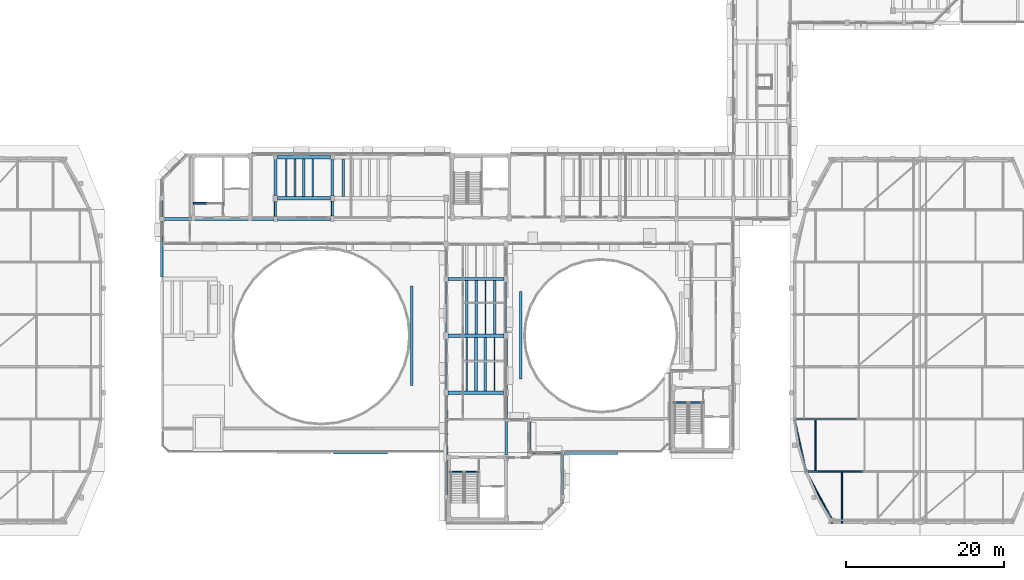
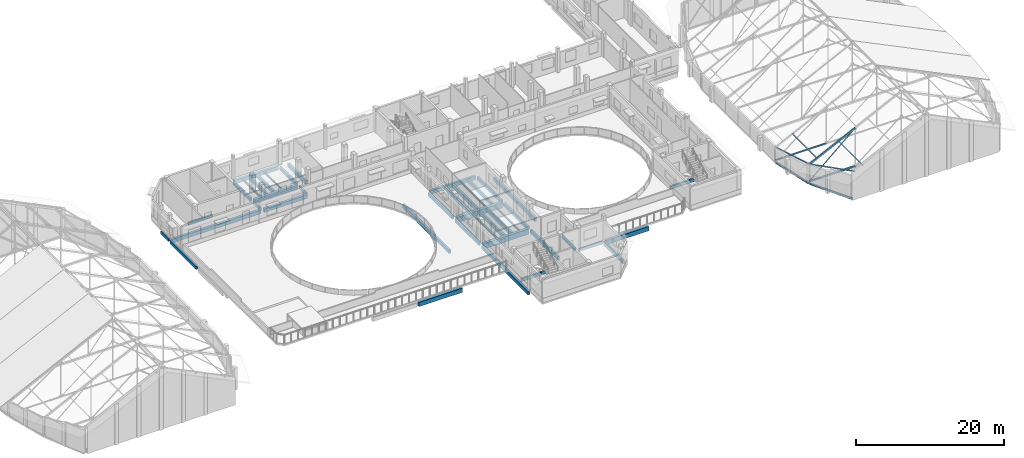
# One storey, part 24 of 78: 44 beams, 8 members.
"""IFC4 building model written with IfcOpenShell, lengths in metres."""

from ifc_helpers import new_model, si_unit, direction, frame, origin, origin_2d, place, context, subcontext, project, spatial, rectangle, hollow_rectangle, i_section, extrude, material, material_profile, profile_set, type_object, element, save


model = new_model("IFC4")

# Units and contexts
model_context = context("Model", 3, precision=1e-05, world=origin(), true_north=direction((0.0, 1.0)))
body_context = subcontext(model_context, "Body", "Model", "MODEL_VIEW")
ifc_project = project(units=[si_unit("LENGTHUNIT", "METRE"), si_unit("AREAUNIT", "SQUARE_METRE"), si_unit("VOLUMEUNIT", "CUBIC_METRE"), si_unit("PLANEANGLEUNIT", "RADIAN"), si_unit("MASSUNIT", "GRAM", prefix="KILO")], contexts=[model_context])

# Site, building, storey
site_placement = place(None, origin())
site = spatial("IfcSite", under=ifc_project, at=site_placement, CompositionType="ELEMENT")
building_placement = place(site_placement, origin())
building = spatial("IfcBuilding", under=site, at=building_placement, Name="Kelanivale Promenade Academy", CompositionType="ELEMENT")
storey_placement = place(building_placement, frame((0.0, 0.0, 16.199951171875)))
storey = spatial("IfcBuildingStorey", under=building, at=storey_placement, Name="L04", CompositionType="ELEMENT", Elevation=16.199951171875)

# Beams
ifc_material_1 = material(Name="Concrete C35/45", Category="concrete")
ifc_material_profile_1 = material_profile(ifc_material_1, rectangle(XDim=0.39990234375, YDim=0.699951171875, at=origin_2d()), Name="RC-BM 400x700")
ifc_profile_set_1 = profile_set([ifc_material_profile_1], Name="Concrete C35/45")
beam_type_1 = type_object("IfcBeamType", Name="BM-02 RC-BM 400x700", PredefinedType="BEAM", material=ifc_profile_set_1)
beam_1_placement = place(storey_placement, frame((64.969970703125, 42.0, -0.5849609375), z_axis=(1.0, 0.0, 0.0), x_axis=(0.0, 1.0, 0.0)))
element("IfcBeam", 1, at=beam_1_placement, inside=storey, type_object=beam_type_1, Name="L04 girder BM-02", PredefinedType="BEAM", context=body_context, shape_type="SweptSolid", body=[
    extrude(rectangle(XDim=0.39990234375, YDim=0.699951171875, at=origin_2d()), origin(), (0.0, 0.0, 1.0), 6.8349609375),
])
ifc_material_profile_2 = material_profile(ifc_material_1, rectangle(XDim=0.449951171875, YDim=0.699951171875, at=origin_2d()), Name="RC-BM 450x700")
ifc_profile_set_2 = profile_set([ifc_material_profile_2], Name="Concrete C35/45")
beam_type_2 = type_object("IfcBeamType", Name="BM-03 RC-BM 450x700", PredefinedType="BEAM", material=ifc_profile_set_2)
beam_2_placement = place(storey_placement, frame((94.219970703125, 42.0, -0.5849609375), z_axis=(1.0, 0.0, 0.0), x_axis=(0.0, 1.0, 0.0)))
element("IfcBeam", 2, at=beam_2_placement, inside=storey, type_object=beam_type_2, Name="L04 girder BM-03", PredefinedType="BEAM", context=body_context, shape_type="SweptSolid", body=[
    extrude(rectangle(XDim=0.449951171875, YDim=0.699951171875, at=origin_2d()), origin(), (0.0, 0.0, 1.0), 6.735107421875),
])
ifc_material_profile_3 = material_profile(ifc_material_1, rectangle(XDim=0.449951171875, YDim=0.75, at=origin_2d()), Name="RC-BM 450x750")
ifc_profile_set_3 = profile_set([ifc_material_profile_3], Name="Concrete C35/45")
beam_type_3 = type_object("IfcBeamType", Name="BM-04 RC-BM 450x750", PredefinedType="BEAM", material=ifc_profile_set_3)
beam_3_placement = place(storey_placement, frame((57.844970703125, 74.199951171875, -0.594970703125), z_axis=(1.0, 0.0, 0.0), x_axis=(0.0, 1.0, 0.0)))
element("IfcBeam", 3, at=beam_3_placement, inside=storey, type_object=beam_type_3, Name="L04 girder BM-04", PredefinedType="BEAM", context=body_context, shape_type="SweptSolid", body=[
    extrude(rectangle(XDim=0.449951171875, YDim=0.75, at=origin_2d()), origin(), (0.0, 0.0, 1.0), 6.7099609375),
])
ifc_material_profile_4 = material_profile(ifc_material_1, rectangle(XDim=0.449951171875, YDim=0.85009765625, at=origin_2d()), Name="RC-BM 450x850")
ifc_profile_set_4 = profile_set([ifc_material_profile_4], Name="Concrete C35/45")
beam_type_4 = type_object("IfcBeamType", Name="BM-05 RC-BM 450x850", PredefinedType="BEAM", material=ifc_profile_set_4)
beam_4_placement = place(storey_placement, frame((79.469970703125, 49.60009765625, -0.64501953125), z_axis=(1.0, 0.0, 0.0), x_axis=(0.0, 1.0, 0.0)))
element("IfcBeam", 4, at=beam_4_placement, inside=storey, type_object=beam_type_4, Name="L04 girder BM-05", PredefinedType="BEAM", context=body_context, shape_type="SweptSolid", body=[
    extrude(rectangle(XDim=0.449951171875, YDim=0.85009765625, at=origin_2d()), origin(), (0.0, 0.0, 1.0), 7.034912109375),
])
ifc_material_profile_5 = material_profile(ifc_material_1, rectangle(XDim=0.5, YDim=0.85009765625, at=origin_2d()), Name="RC-BM 500x850")
ifc_profile_set_5 = profile_set([ifc_material_profile_5], Name="Concrete C35/45")
beam_type_5 = type_object("IfcBeamType", Name="BM-07 RC-BM 500x850", PredefinedType="BEAM", material=ifc_profile_set_5)
beam_5_placement = place(storey_placement, frame((79.4951171875, 56.800048828125, -0.64501953125), z_axis=(1.0, 0.0, 0.0), x_axis=(0.0, 1.0, 0.0)))
element("IfcBeam", 5, at=beam_5_placement, inside=storey, type_object=beam_type_5, Name="L04 girder BM-07", PredefinedType="BEAM", context=body_context, shape_type="SweptSolid", body=[
    extrude(rectangle(XDim=0.5, YDim=0.85009765625, at=origin_2d()), origin(), (0.0, 0.0, 1.0), 7.059814453125),
])
ifc_material_profile_6 = material_profile(ifc_material_1, rectangle(XDim=0.35009765625, YDim=0.60009765625, at=origin_2d()), Name="RC-BM 350x600")
ifc_profile_set_6 = profile_set([ifc_material_profile_6], Name="Concrete C35/45")
beam_type_6 = type_object("IfcBeamType", Name="BM-09 RC-BM 350x600", PredefinedType="BEAM", material=ifc_profile_set_6)
beam_6_placement = place(storey_placement, frame((79.445068359375, 64.0, -0.52001953125), z_axis=(1.0, 0.0, 0.0), x_axis=(0.0, 1.0, 0.0)))
element("IfcBeam", 6, at=beam_6_placement, inside=storey, type_object=beam_type_6, Name="L04 girder BM-09", PredefinedType="BEAM", context=body_context, shape_type="SweptSolid", body=[
    extrude(rectangle(XDim=0.35009765625, YDim=0.60009765625, at=origin_2d()), origin(), (0.0, 0.0, 1.0), 7.10986328125),
])
ifc_material_profile_7 = material_profile(ifc_material_1, rectangle(XDim=0.39990234375, YDim=0.60009765625, at=origin_2d()), Name="RC-BM 400x600")
ifc_profile_set_7 = profile_set([ifc_material_profile_7], Name="Concrete C35/45")
beam_type_7 = type_object("IfcBeamType", Name="BM-12 RC-BM 400x600", PredefinedType="BEAM", material=ifc_profile_set_7)
beam_7_placement = place(storey_placement, frame((43.39501953125, 71.60009765625, -0.52001953125), z_axis=(1.0, 0.0, 0.0), x_axis=(0.0, 1.0, 0.0)))
element("IfcBeam", 7, at=beam_7_placement, inside=storey, type_object=beam_type_7, Name="L04 girder BM-12", PredefinedType="BEAM", context=body_context, shape_type="SweptSolid", body=[
    extrude(rectangle(XDim=0.39990234375, YDim=0.60009765625, at=origin_2d()), origin(), (0.0, 0.0, 1.0), 13.9599609375),
])
beam_8_placement = place(storey_placement, frame((57.844970703125, 71.60009765625, -0.52001953125), z_axis=(1.0, 0.0, 0.0), x_axis=(0.0, 1.0, 0.0)))
element("IfcBeam", 8, at=beam_8_placement, inside=storey, type_object=beam_type_7, Name="L04 girder BM-12", PredefinedType="BEAM", context=body_context, shape_type="SweptSolid", body=[
    extrude(rectangle(XDim=0.39990234375, YDim=0.60009765625, at=origin_2d()), origin(), (0.0, 0.0, 1.0), 6.735107421875),
])
beam_9_placement = place(storey_placement, frame((57.77001953125, 79.39990234375, -0.52001953125), z_axis=(1.0, 0.0, 0.0), x_axis=(0.0, 1.0, 0.0)))
element("IfcBeam", 9, at=beam_9_placement, inside=storey, type_object=beam_type_7, Name="L04 girder BM-12", PredefinedType="BEAM", context=body_context, shape_type="SweptSolid", body=[
    extrude(rectangle(XDim=0.39990234375, YDim=0.60009765625, at=origin_2d()), origin(), (0.0, 0.0, 1.0), 6.784912109375),
])
ifc_material_profile_8 = material_profile(ifc_material_1, rectangle(XDim=0.300048828125, YDim=0.5, at=origin_2d()), Name="RC-BM 300x500")
ifc_profile_set_8 = profile_set([ifc_material_profile_8], Name="Concrete C35/45")
beam_type_8 = type_object("IfcBeamType", Name="JS-01 RC-BM 300x500", PredefinedType="JOIST", material=ifc_profile_set_8)
beam_10_placement = place(storey_placement, frame((43.199951171875, 64.2451171875, -0.489990234375), z_axis=(0.0, 1.0, 0.0), x_axis=(-1.0, 0.0, 0.0)))
element("IfcBeam", 10, at=beam_10_placement, inside=storey, type_object=beam_type_8, Name="L04 beam JS-01", PredefinedType="JOIST", context=body_context, shape_type="SweptSolid", body=[
    extrude(rectangle(XDim=0.300048828125, YDim=0.5, at=origin_2d()), origin(), (0.0, 0.0, 1.0), 7.10986328125),
])
beam_11_placement = place(storey_placement, frame((79.199951171875, 49.969970703125, -0.469970703125), z_axis=(0.0, 1.0, 0.0), x_axis=(-1.0, 0.0, 0.0)))
element("IfcBeam", 11, at=beam_11_placement, inside=storey, type_object=beam_type_8, Name="L04 beam JS-01", PredefinedType="JOIST", context=body_context, shape_type="SweptSolid", body=[
    extrude(rectangle(XDim=0.300048828125, YDim=0.5, at=origin_2d()), origin(), (0.0, 0.0, 1.0), 6.43505859375),
])
beam_12_placement = place(storey_placement, frame((86.800048828125, 57.1201171875, -0.469970703125), z_axis=(0.0, 1.0, 0.0), x_axis=(-1.0, 0.0, 0.0)))
element("IfcBeam", 12, at=beam_12_placement, inside=storey, type_object=beam_type_8, Name="L04 beam JS-01", PredefinedType="JOIST", context=body_context, shape_type="SweptSolid", body=[
    extrude(rectangle(XDim=0.300048828125, YDim=0.5, at=origin_2d()), origin(), (0.0, 0.0, 1.0), 6.509765625),
])
ifc_material_profile_9 = material_profile(ifc_material_1, rectangle(XDim=0.300048828125, YDim=0.550048828125, at=origin_2d()), Name="RC-BM 300x550")
ifc_profile_set_9 = profile_set([ifc_material_profile_9], Name="Concrete C35/45")
beam_type_9 = type_object("IfcBeamType", Name="JS-02 RC-BM 300x550", PredefinedType="JOIST", material=ifc_profile_set_9)
beam_13_placement = place(storey_placement, frame((64.800048828125, 74.52001953125, -0.494873046875), z_axis=(0.0, 1.0, 0.0), x_axis=(-1.0, 0.0, 0.0)))
element("IfcBeam", 13, at=beam_13_placement, inside=storey, type_object=beam_type_9, Name="L04 beam JS-02", PredefinedType="JOIST", context=body_context, shape_type="SweptSolid", body=[
    extrude(rectangle(XDim=0.300048828125, YDim=0.550048828125, at=origin_2d()), origin(), (0.0, 0.0, 1.0), 4.5849609375),
])
beam_14_placement = place(storey_placement, frame((79.199951171875, 57.195068359375, -0.494873046875), z_axis=(0.0, 1.0, 0.0), x_axis=(-1.0, 0.0, 0.0)))
element("IfcBeam", 14, at=beam_14_placement, inside=storey, type_object=beam_type_9, Name="L04 beam JS-02", PredefinedType="JOIST", context=body_context, shape_type="SweptSolid", body=[
    extrude(rectangle(XDim=0.300048828125, YDim=0.550048828125, at=origin_2d()), origin(), (0.0, 0.0, 1.0), 6.48486328125),
])
beam_15_placement = place(storey_placement, frame((85.3779296875, 57.050048828125, -0.494873046875), z_axis=(0.0, 1.0, 0.0), x_axis=(-1.0, 0.0, 0.0)))
element("IfcBeam", 15, at=beam_15_placement, inside=storey, type_object=beam_type_9, Name="L04 secondary sub-beam JS-02", PredefinedType="JOIST", context=body_context, shape_type="SweptSolid", body=[
    extrude(rectangle(XDim=0.300048828125, YDim=0.550048828125, at=origin_2d()), origin(), (0.0, 0.0, 1.0), 6.77490234375),
])
beam_16_placement = place(storey_placement, frame((60.08203125, 74.425048828125, -0.494873046875), z_axis=(0.0, 1.0, 0.0), x_axis=(-1.0, 0.0, 0.0)))
element("IfcBeam", 16, at=beam_16_placement, inside=storey, type_object=beam_type_9, Name="L04 secondary sub-beam JS-02", PredefinedType="JOIST", context=body_context, shape_type="SweptSolid", body=[
    extrude(rectangle(XDim=0.300048828125, YDim=0.550048828125, at=origin_2d()), origin(), (0.0, 0.0, 1.0), 4.77490234375),
])
ifc_material_profile_10 = material_profile(ifc_material_1, rectangle(XDim=0.300048828125, YDim=0.60009765625, at=origin_2d()), Name="RC-BM 300x600")
ifc_profile_set_10 = profile_set([ifc_material_profile_10], Name="Concrete C35/45")
beam_type_10 = type_object("IfcBeamType", Name="JS-03 RC-BM 300x600", PredefinedType="JOIST", material=ifc_profile_set_10)
beam_17_placement = place(storey_placement, frame((88.66796875, 51.294921875, -0.5400390625), z_axis=(0.0, 1.0, 0.0), x_axis=(-1.0, 0.0, 0.0)))
element("IfcBeam", 17, at=beam_17_placement, inside=storey, type_object=beam_type_10, Name="L04 beam JS-03", PredefinedType="JOIST", context=body_context, shape_type="SweptSolid", body=[
    extrude(rectangle(XDim=0.300048828125, YDim=0.60009765625, at=origin_2d()), origin(), (0.0, 0.0, 1.0), 11.135009765625),
])
beam_18_placement = place(storey_placement, frame((61.199951171875, 74.425048828125, -0.52001953125), z_axis=(0.0, 1.0, 0.0), x_axis=(-1.0, 0.0, 0.0)))
element("IfcBeam", 18, at=beam_18_placement, inside=storey, type_object=beam_type_10, Name="L04 secondary sub-beam JS-03", PredefinedType="JOIST", context=body_context, shape_type="SweptSolid", body=[
    extrude(rectangle(XDim=0.300048828125, YDim=0.60009765625, at=origin_2d()), origin(), (0.0, 0.0, 1.0), 4.77490234375),
])
ifc_material_profile_11 = material_profile(ifc_material_1, rectangle(XDim=0.320068359375, YDim=0.60009765625, at=origin_2d()), Name="RC-BM 320x600")
ifc_profile_set_11 = profile_set([ifc_material_profile_11], Name="Concrete C35/45")
beam_type_11 = type_object("IfcBeamType", Name="JS-05 RC-BM 320x600", PredefinedType="JOIST", material=ifc_profile_set_11)
beam_19_placement = place(storey_placement, frame((74.83203125, 50.4951171875, -0.5400390625), z_axis=(0.0, 1.0, 0.0), x_axis=(-1.0, 0.0, 0.0)))
element("IfcBeam", 19, at=beam_19_placement, inside=storey, type_object=beam_type_11, Name="L04 beam JS-05", PredefinedType="JOIST", context=body_context, shape_type="SweptSolid", body=[
    extrude(rectangle(XDim=0.320068359375, YDim=0.60009765625, at=origin_2d()), origin(), (0.0, 0.0, 1.0), 12.5849609375),
])
beam_20_placement = place(storey_placement, frame((86.800048828125, 41.77001953125, -0.52001953125), z_axis=(0.0, 1.0, 0.0), x_axis=(-1.0, 0.0, 0.0)))
element("IfcBeam", 20, at=beam_20_placement, inside=storey, type_object=beam_type_11, Name="L04 beam JS-05", PredefinedType="JOIST", context=body_context, shape_type="SweptSolid", body=[
    extrude(rectangle(XDim=0.320068359375, YDim=0.60009765625, at=origin_2d()), origin(), (0.0, 0.0, 1.0), 7.43505859375),
])
beam_21_placement = place(storey_placement, frame((94.0, 36.64501953125, -0.52001953125), z_axis=(0.0, 1.0, 0.0), x_axis=(-1.0, 0.0, 0.0)))
element("IfcBeam", 21, at=beam_21_placement, inside=storey, type_object=beam_type_11, Name="L04 beam JS-05", PredefinedType="JOIST", context=body_context, shape_type="SweptSolid", body=[
    extrude(rectangle(XDim=0.320068359375, YDim=0.60009765625, at=origin_2d()), origin(), (0.0, 0.0, 1.0), 5.0849609375),
])
beam_22_placement = place(storey_placement, frame((83.0, 49.824951171875, -0.52001953125), z_axis=(0.0, 1.0, 0.0), x_axis=(-1.0, 0.0, 0.0)))
element("IfcBeam", 22, at=beam_22_placement, inside=storey, type_object=beam_type_11, Name="L04 secondary sub-beam JS-05", PredefinedType="JOIST", context=body_context, shape_type="SweptSolid", body=[
    extrude(rectangle(XDim=0.320068359375, YDim=0.60009765625, at=origin_2d()), origin(), (0.0, 0.0, 1.0), 6.72509765625),
])
beam_23_placement = place(storey_placement, frame((81.847900390625, 57.050048828125, -0.52001953125), z_axis=(0.0, 1.0, 0.0), x_axis=(-1.0, 0.0, 0.0)))
element("IfcBeam", 23, at=beam_23_placement, inside=storey, type_object=beam_type_11, Name="L04 secondary sub-beam JS-05", PredefinedType="JOIST", context=body_context, shape_type="SweptSolid", body=[
    extrude(rectangle(XDim=0.320068359375, YDim=0.60009765625, at=origin_2d()), origin(), (0.0, 0.0, 1.0), 6.77490234375),
])
beam_24_placement = place(storey_placement, frame((66.1630859375, 74.425048828125, -0.52001953125), z_axis=(0.0, 1.0, 0.0), x_axis=(-1.0, 0.0, 0.0)))
element("IfcBeam", 24, at=beam_24_placement, inside=storey, type_object=beam_type_11, Name="L04 secondary sub-beam JS-05", PredefinedType="JOIST", context=body_context, shape_type="SweptSolid", body=[
    extrude(rectangle(XDim=0.320068359375, YDim=0.60009765625, at=origin_2d()), origin(), (0.0, 0.0, 1.0), 4.77490234375),
])
ifc_material_profile_12 = material_profile(ifc_material_1, rectangle(XDim=0.35009765625, YDim=0.550048828125, at=origin_2d()), Name="RC-BM 350x550")
ifc_profile_set_12 = profile_set([ifc_material_profile_12], Name="Concrete C35/45")
beam_type_12 = type_object("IfcBeamType", Name="JS-06 RC-BM 350x550", PredefinedType="JOIST", material=ifc_profile_set_12)
beam_25_placement = place(storey_placement, frame((57.60009765625, 74.570068359375, -0.494873046875), z_axis=(0.0, 1.0, 0.0), x_axis=(-1.0, 0.0, 0.0)))
element("IfcBeam", 25, at=beam_25_placement, inside=storey, type_object=beam_type_12, Name="L04 beam JS-06", PredefinedType="JOIST", context=body_context, shape_type="SweptSolid", body=[
    extrude(rectangle(XDim=0.35009765625, YDim=0.550048828125, at=origin_2d()), origin(), (0.0, 0.0, 1.0), 4.5849609375),
])
beam_26_placement = place(storey_placement, frame((79.199951171875, 36.64501953125, -0.494873046875), z_axis=(0.0, 1.0, 0.0), x_axis=(-1.0, 0.0, 0.0)))
element("IfcBeam", 26, at=beam_26_placement, inside=storey, type_object=beam_type_12, Name="L04 beam JS-06", PredefinedType="JOIST", context=body_context, shape_type="SweptSolid", body=[
    extrude(rectangle(XDim=0.35009765625, YDim=0.550048828125, at=origin_2d()), origin(), (0.0, 0.0, 1.0), 12.5849609375),
])
beam_27_placement = place(storey_placement, frame((86.800048828125, 49.9951171875, -0.494873046875), z_axis=(0.0, 1.0, 0.0), x_axis=(-1.0, 0.0, 0.0)))
element("IfcBeam", 27, at=beam_27_placement, inside=storey, type_object=beam_type_12, Name="L04 beam JS-06", PredefinedType="JOIST", context=body_context, shape_type="SweptSolid", body=[
    extrude(rectangle(XDim=0.35009765625, YDim=0.550048828125, at=origin_2d()), origin(), (0.0, 0.0, 1.0), 6.48486328125),
])
beam_28_placement = place(storey_placement, frame((84.16796875, 49.824951171875, -0.494873046875), z_axis=(0.0, 1.0, 0.0), x_axis=(-1.0, 0.0, 0.0)))
element("IfcBeam", 28, at=beam_28_placement, inside=storey, type_object=beam_type_12, Name="L04 secondary sub-beam JS-06", PredefinedType="JOIST", context=body_context, shape_type="SweptSolid", body=[
    extrude(rectangle(XDim=0.35009765625, YDim=0.550048828125, at=origin_2d()), origin(), (0.0, 0.0, 1.0), 6.72509765625),
])
beam_29_placement = place(storey_placement, frame((83.02490234375, 57.050048828125, -0.494873046875), z_axis=(0.0, 1.0, 0.0), x_axis=(-1.0, 0.0, 0.0)))
element("IfcBeam", 29, at=beam_29_placement, inside=storey, type_object=beam_type_12, Name="L04 secondary sub-beam JS-06", PredefinedType="JOIST", context=body_context, shape_type="SweptSolid", body=[
    extrude(rectangle(XDim=0.35009765625, YDim=0.550048828125, at=origin_2d()), origin(), (0.0, 0.0, 1.0), 6.77490234375),
])
ifc_material_profile_13 = material_profile(ifc_material_1, rectangle(XDim=0.25, YDim=0.449951171875, at=origin_2d()), Name="RC-BM 250x450")
ifc_profile_set_13 = profile_set([ifc_material_profile_13], Name="Concrete C35/45")
beam_type_13 = type_object("IfcBeamType", Name="LN-01 RC-BM 250x450", PredefinedType="LINTEL", material=ifc_profile_set_13)
beam_30_placement = place(storey_placement, frame((90.094970703125, 42.0, -0.445068359375), z_axis=(1.0, 0.0, 0.0), x_axis=(0.0, 1.0, 0.0)))
element("IfcBeam", 30, at=beam_30_placement, inside=storey, type_object=beam_type_13, Name="L04 girder LN-01", PredefinedType="LINTEL", context=body_context, shape_type="SweptSolid", body=[
    extrude(rectangle(XDim=0.25, YDim=0.449951171875, at=origin_2d()), origin(), (0.0, 0.0, 1.0), 3.68505859375),
])
ifc_material_profile_14 = material_profile(ifc_material_1, rectangle(XDim=0.25, YDim=0.5, at=origin_2d()), Name="RC-BM 250x500")
ifc_profile_set_14 = profile_set([ifc_material_profile_14], Name="Concrete C35/45")
beam_type_14 = type_object("IfcBeamType", Name="LN-02 RC-BM 250x500", PredefinedType="LINTEL", material=ifc_profile_set_14)
beam_31_placement = place(storey_placement, frame((43.199951171875, 71.844970703125, -0.469970703125), z_axis=(0.0, 1.0, 0.0), x_axis=(-1.0, 0.0, 0.0)))
element("IfcBeam", 31, at=beam_31_placement, inside=storey, type_object=beam_type_14, Name="L04 beam LN-02", PredefinedType="LINTEL", context=body_context, shape_type="SweptSolid", body=[
    extrude(rectangle(XDim=0.25, YDim=0.5, at=origin_2d()), origin(), (0.0, 0.0, 1.0), 2.0849609375),
])
beam_32_placement = place(storey_placement, frame((57.60009765625, 71.919921875, -0.469970703125), z_axis=(0.0, 1.0, 0.0), x_axis=(-1.0, 0.0, 0.0)))
element("IfcBeam", 32, at=beam_32_placement, inside=storey, type_object=beam_type_14, Name="L04 beam LN-02", PredefinedType="LINTEL", context=body_context, shape_type="SweptSolid", body=[
    extrude(rectangle(XDim=0.25, YDim=0.5, at=origin_2d()), origin(), (0.0, 0.0, 1.0), 1.91015625),
])
beam_33_placement = place(storey_placement, frame((64.800048828125, 71.945068359375, -0.469970703125), z_axis=(0.0, 1.0, 0.0), x_axis=(-1.0, 0.0, 0.0)))
element("IfcBeam", 33, at=beam_33_placement, inside=storey, type_object=beam_type_14, Name="L04 beam LN-02", PredefinedType="LINTEL", context=body_context, shape_type="SweptSolid", body=[
    extrude(rectangle(XDim=0.25, YDim=0.5, at=origin_2d()), origin(), (0.0, 0.0, 1.0), 1.934814453125),
])
beam_34_placement = place(storey_placement, frame((89.800048828125, 42.39501953125, -0.469970703125), z_axis=(0.0, 1.0, 0.0), x_axis=(-1.0, 0.0, 0.0)))
element("IfcBeam", 34, at=beam_34_placement, inside=storey, type_object=beam_type_14, Name="L04 beam LN-02", PredefinedType="LINTEL", context=body_context, shape_type="SweptSolid", body=[
    extrude(rectangle(XDim=0.25, YDim=0.5, at=origin_2d()), origin(), (0.0, 0.0, 1.0), 3.48486328125),
])
for number, where, z_axis, x_axis, name in (
    (35, (79.60009765625, 39.544921875, -0.25), (1.0, 0.0, 0.0), (0.0, 1.0, 0.0), "CORE-1 stair arrival trimmer beam L04"),
    (36, (108.0, 48.344970703125, -0.25), (1.0, 0.0, 0.0), (0.0, 1.0, 0.0), "CORE-3 stair arrival trimmer beam L04"),
):
    element("IfcBeam", number, at=place(storey_placement, frame(where, z_axis=z_axis, x_axis=x_axis)), inside=storey, type_object=beam_type_14, Name=name, PredefinedType="LINTEL", context=body_context, shape_type="SweptSolid", body=[
        extrude(rectangle(XDim=0.25, YDim=0.5, at=origin_2d()), origin(), (0.0, 0.0, 1.0), 3.77490234375),
    ])
beam_35_placement = place(storey_placement, frame((47.199951171875, 73.60498046875, -0.25), z_axis=(1.0, 0.0, 0.0), x_axis=(0.0, 1.0, 0.0)))
element("IfcBeam", 37, at=beam_35_placement, inside=storey, type_object=beam_type_14, Name="CORE-4 stair arrival trimmer beam L04", PredefinedType="LINTEL", context=body_context, shape_type="SweptSolid", body=[
    extrude(rectangle(XDim=0.25, YDim=0.5, at=origin_2d()), origin(), (0.0, 0.0, 1.0), 3.775146484375),
])

# Members
ifc_material_2 = material(Name="Steel S355", Category="steel")
ifc_material_profile_15 = material_profile(ifc_material_2, i_section(OverallWidth=0.13330078125, OverallDepth=0.203125, WebThickness=0.005615234375, FlangeThickness=0.0078125, FilletRadius=0.007568359375, at=origin_2d()), Name="UB 203x133x25")
ifc_profile_set_15 = profile_set([ifc_material_profile_15], Name="Steel S355")
member_type_1 = type_object("IfcMemberType", Name="PR-01 UB 203x133x25", PredefinedType="PURLIN", material=ifc_profile_set_15)
member_1_placement = place(storey_placement, frame((128.14990234375, 33.0, 4.68994140625), z_axis=(-0.440463872752, 0.871618327598, -0.215111756527), x_axis=(-0.759403461189, -0.489526007548, -0.428568163852)))
element("IfcMember", 38, at=member_1_placement, inside=storey, type_object=member_type_1, Name="Assembly Hall Arc Pavilion roof tie purlin PR-01", PredefinedType="PURLIN", context=body_context, shape_type="SweptSolid", body=[
    extrude(i_section(OverallWidth=0.13330078125, OverallDepth=0.203125, WebThickness=0.005615234375, FlangeThickness=0.0078125, FilletRadius=0.007568359375, at=origin_2d()), origin(), (0.0, 0.0, 1.0), 7.605224609375),
])
member_2_placement = place(storey_placement, frame((129.35009765625, 33.0, 5.2939453125), z_axis=(0.0, 1.0, 0.0), x_axis=(-0.898564392509, 0.0, -0.438841694139)))
element("IfcMember", 39, at=member_2_placement, inside=storey, type_object=member_type_1, Name="Assembly Hall Arc Pavilion roof purlin PR-01", PredefinedType="PURLIN", context=body_context, shape_type="SweptSolid", body=[
    extrude(i_section(OverallWidth=0.13330078125, OverallDepth=0.203125, WebThickness=0.005615234375, FlangeThickness=0.0078125, FilletRadius=0.007568359375, at=origin_2d()), origin(), (0.0, 0.0, 1.0), 6.62890625),
])
member_3_placement = place(storey_placement, frame((124.800048828125, 39.62890625, 3.053955078125), z_axis=(-0.212548160405, 0.971623170035, -0.103786776423), x_axis=(-0.8680732411, -0.236519027735, -0.436471760376)))
element("IfcMember", 40, at=member_3_placement, inside=storey, type_object=member_type_1, Name="Assembly Hall Arc Pavilion roof tie purlin PR-01", PredefinedType="PURLIN", context=body_context, shape_type="SweptSolid", body=[
    extrude(i_section(OverallWidth=0.13330078125, OverallDepth=0.203125, WebThickness=0.005615234375, FlangeThickness=0.0078125, FilletRadius=0.007568359375, at=origin_2d()), origin(), (0.0, 0.0, 1.0), 6.82177734375),
])
ifc_material_profile_16 = material_profile(ifc_material_2, i_section(OverallWidth=0.14599609375, OverallDepth=0.25146484375, WebThickness=0.006103515625, FlangeThickness=0.008544921875, FilletRadius=0.007568359375, at=origin_2d()), Name="UB 254x146x31")
ifc_profile_set_16 = profile_set([ifc_material_profile_16], Name="Steel S355")
member_type_2 = type_object("IfcMemberType", Name="PR-02 UB 254x146x31", PredefinedType="PURLIN", material=ifc_profile_set_16)
member_4_placement = place(storey_placement, frame((126.0, 39.62890625, 3.630126953125), z_axis=(0.0, 1.0, 0.0), x_axis=(-0.898564392509, 0.0, -0.438841694139)))
element("IfcMember", 41, at=member_4_placement, inside=storey, type_object=member_type_2, Name="Assembly Hall Arc Pavilion roof purlin PR-02", PredefinedType="PURLIN", context=body_context, shape_type="SweptSolid", body=[
    extrude(i_section(OverallWidth=0.14599609375, OverallDepth=0.25146484375, WebThickness=0.006103515625, FlangeThickness=0.008544921875, FilletRadius=0.007568359375, at=origin_2d()), origin(), (0.0, 0.0, 1.0), 6.628173828125),
])

# Beams
ifc_material_profile_17 = material_profile(ifc_material_2, i_section(OverallWidth=0.14599609375, OverallDepth=0.25146484375, WebThickness=0.006103515625, FlangeThickness=0.008544921875, FilletRadius=0.007568359375, at=origin_2d()), Name="UB 254x146x31")
ifc_profile_set_17 = profile_set([ifc_material_profile_17], Name="Steel S355")
beam_type_15 = type_object("IfcBeamType", Name="SB-02 UB 254x146x31", PredefinedType="JOIST", material=ifc_profile_set_17)
beam_36_placement = place(storey_placement, frame((85.3369140625, 49.824951171875, -0.345947265625), z_axis=(0.0, 1.0, 0.0), x_axis=(-1.0, 0.0, 0.0)))
element("IfcBeam", 42, at=beam_36_placement, inside=storey, type_object=beam_type_15, Name="L04 secondary sub-beam SB-02", PredefinedType="JOIST", context=body_context, shape_type="SweptSolid", body=[
    extrude(i_section(OverallWidth=0.14599609375, OverallDepth=0.25146484375, WebThickness=0.006103515625, FlangeThickness=0.008544921875, FilletRadius=0.007568359375, at=origin_2d()), origin(), (0.0, 0.0, 1.0), 6.72509765625),
])
beam_37_placement = place(storey_placement, frame((62.318115234375, 74.425048828125, -0.345947265625), z_axis=(0.0, 1.0, 0.0), x_axis=(-1.0, 0.0, 0.0)))
element("IfcBeam", 43, at=beam_37_placement, inside=storey, type_object=beam_type_15, Name="L04 secondary sub-beam SB-02", PredefinedType="JOIST", context=body_context, shape_type="SweptSolid", body=[
    extrude(i_section(OverallWidth=0.14599609375, OverallDepth=0.25146484375, WebThickness=0.006103515625, FlangeThickness=0.008544921875, FilletRadius=0.007568359375, at=origin_2d()), origin(), (0.0, 0.0, 1.0), 4.77490234375),
])
ifc_material_profile_18 = material_profile(ifc_material_2, i_section(OverallWidth=0.1650390625, OverallDepth=0.303466796875, WebThickness=0.006103515625, FlangeThickness=0.01025390625, FilletRadius=0.0087890625, at=origin_2d()), Name="UB 305x165x40")
ifc_profile_set_18 = profile_set([ifc_material_profile_18], Name="Steel S355")
beam_type_16 = type_object("IfcBeamType", Name="SB-03 UB 305x165x40", PredefinedType="BEAM", material=ifc_profile_set_18)
beam_38_placement = place(storey_placement, frame((84.201904296875, 57.050048828125, -0.3720703125), z_axis=(0.0, 1.0, 0.0), x_axis=(-1.0, 0.0, 0.0)))
element("IfcBeam", 44, at=beam_38_placement, inside=storey, type_object=beam_type_16, Name="L04 secondary sub-beam SB-03", PredefinedType="BEAM", context=body_context, shape_type="SweptSolid", body=[
    extrude(i_section(OverallWidth=0.1650390625, OverallDepth=0.303466796875, WebThickness=0.006103515625, FlangeThickness=0.01025390625, FilletRadius=0.0087890625, at=origin_2d()), origin(), (0.0, 0.0, 1.0), 6.77490234375),
])
ifc_material_profile_19 = material_profile(ifc_material_2, i_section(OverallWidth=0.17138671875, OverallDepth=0.35498046875, WebThickness=0.00732421875, FlangeThickness=0.011474609375, FilletRadius=0.01025390625, at=origin_2d()), Name="UB 356x171x51")
ifc_profile_set_19 = profile_set([ifc_material_profile_19], Name="Steel S355")
beam_type_17 = type_object("IfcBeamType", Name="SB-04 UB 356x171x51", PredefinedType="BEAM", material=ifc_profile_set_19)
beam_39_placement = place(storey_placement, frame((81.83203125, 49.824951171875, -0.39697265625), z_axis=(0.0, 1.0, 0.0), x_axis=(-1.0, 0.0, 0.0)))
element("IfcBeam", 45, at=beam_39_placement, inside=storey, type_object=beam_type_17, Name="L04 secondary sub-beam SB-04", PredefinedType="BEAM", context=body_context, shape_type="SweptSolid", body=[
    extrude(i_section(OverallWidth=0.17138671875, OverallDepth=0.35498046875, WebThickness=0.00732421875, FlangeThickness=0.011474609375, FilletRadius=0.01025390625, at=origin_2d()), origin(), (0.0, 0.0, 1.0), 6.72509765625),
])
beam_40_placement = place(storey_placement, frame((58.962890625, 74.425048828125, -0.39697265625), z_axis=(0.0, 1.0, 0.0), x_axis=(-1.0, 0.0, 0.0)))
element("IfcBeam", 46, at=beam_40_placement, inside=storey, type_object=beam_type_17, Name="L04 secondary sub-beam SB-04", PredefinedType="BEAM", context=body_context, shape_type="SweptSolid", body=[
    extrude(i_section(OverallWidth=0.17138671875, OverallDepth=0.35498046875, WebThickness=0.00732421875, FlangeThickness=0.011474609375, FilletRadius=0.01025390625, at=origin_2d()), origin(), (0.0, 0.0, 1.0), 4.77490234375),
])
ifc_material_profile_20 = material_profile(ifc_material_2, hollow_rectangle(XDim=0.199951171875, YDim=0.300048828125, WallThickness=0.012451171875, InnerFilletRadius=0.012451171875, OuterFilletRadius=0.02490234375, at=origin_2d()), Name="RHS 300x200x12.5")
ifc_profile_set_20 = profile_set([ifc_material_profile_20], Name="Steel S355")
beam_type_18 = type_object("IfcBeamType", Name="SB-14 RHS 300x200x12.5", PredefinedType="SPANDREL", material=ifc_profile_set_20)
beam_41_placement = place(storey_placement, frame((128.10205078125, 33.5380859375, -0.14990234375), z_axis=(-0.476573382947, 0.879134694268, 0.0), x_axis=(-0.879134694268, -0.476573382947, 0.0)))
element("IfcBeam", 47, at=beam_41_placement, inside=storey, type_object=beam_type_18, Name="Assembly Hall Arc Pavilion inner kidney ring beam SB-14", PredefinedType="SPANDREL", context=body_context, shape_type="SweptSolid", body=[
    extrude(hollow_rectangle(XDim=0.199951171875, YDim=0.300048828125, WallThickness=0.012451171875, InnerFilletRadius=0.012451171875, OuterFilletRadius=0.02490234375, at=origin_2d()), origin(), (0.0, 0.0, 1.0), 6.828125),
])
beam_42_placement = place(storey_placement, frame((124.779052734375, 39.72705078125, -0.14990234375), z_axis=(-0.213839528573, 0.976868801846, 0.0), x_axis=(-0.976868801846, -0.213839528573, 0.0)))
element("IfcBeam", 48, at=beam_42_placement, inside=storey, type_object=beam_type_18, Name="Assembly Hall Arc Pavilion inner kidney ring beam SB-14", PredefinedType="SPANDREL", context=body_context, shape_type="SweptSolid", body=[
    extrude(hollow_rectangle(XDim=0.199951171875, YDim=0.300048828125, WallThickness=0.012451171875, InnerFilletRadius=0.012451171875, OuterFilletRadius=0.02490234375, at=origin_2d()), origin(), (0.0, 0.0, 1.0), 6.584228515625),
])

# Members
ifc_material_profile_21 = material_profile(ifc_material_2, hollow_rectangle(XDim=0.25, YDim=0.25, WallThickness=0.012451171875, InnerFilletRadius=0.012451171875, OuterFilletRadius=0.02490234375, at=origin_2d()), Name="SHS 250x250x12.5")
ifc_profile_set_21 = profile_set([ifc_material_profile_21], Name="Steel S355")
member_type_3 = type_object("IfcMemberType", Name="TC-02 SHS 250x250x12.5", PredefinedType="CHORD", material=ifc_profile_set_21)
member_5_placement = place(storey_placement, frame((124.800048828125, 39.62890625, 0.199951171875), z_axis=(1.0, 0.0, 0.0), x_axis=(0.0, 1.0, 0.0)))
element("IfcMember", 49, at=member_5_placement, inside=storey, type_object=member_type_3, Name="ROOF TRUSS AH-TR2 bottom chord 1", PredefinedType="CHORD", context=body_context, shape_type="SweptSolid", body=[
    extrude(hollow_rectangle(XDim=0.25, YDim=0.25, WallThickness=0.012451171875, InnerFilletRadius=0.012451171875, OuterFilletRadius=0.02490234375, at=origin_2d()), origin(), (0.0, 0.0, 1.0), 7.199951171875),
])
ifc_material_profile_22 = material_profile(ifc_material_2, hollow_rectangle(XDim=0.199951171875, YDim=0.199951171875, WallThickness=0.012451171875, InnerFilletRadius=0.012451171875, OuterFilletRadius=0.02490234375, at=origin_2d()), Name="SHS 200x200x12.5")
ifc_profile_set_22 = profile_set([ifc_material_profile_22], Name="Steel S355")
member_type_4 = type_object("IfcMemberType", Name="TC-03 SHS 200x200x12.5", PredefinedType="CHORD", material=ifc_profile_set_22)
member_6_placement = place(storey_placement, frame((123.35009765625, 46.257080078125, 0.199951171875), z_axis=(1.0, 0.0, 0.0), x_axis=(0.0, 1.0, 0.0)))
element("IfcMember", 50, at=member_6_placement, inside=storey, type_object=member_type_4, Name="ROOF TRUSS AH-TR3 bottom chord 1", PredefinedType="CHORD", context=body_context, shape_type="SweptSolid", body=[
    extrude(hollow_rectangle(XDim=0.199951171875, YDim=0.199951171875, WallThickness=0.012451171875, InnerFilletRadius=0.012451171875, OuterFilletRadius=0.02490234375, at=origin_2d()), origin(), (0.0, 0.0, 1.0), 7.9248046875),
])
ifc_material_profile_23 = material_profile(ifc_material_2, hollow_rectangle(XDim=0.199951171875, YDim=0.300048828125, WallThickness=0.012451171875, InnerFilletRadius=0.012451171875, OuterFilletRadius=0.02490234375, at=origin_2d()), Name="RHS 300x200x12.5")
ifc_profile_set_23 = profile_set([ifc_material_profile_23], Name="Steel S355")
member_type_5 = type_object("IfcMemberType", Name="TC-05 RHS 300x200x12.5", PredefinedType="CHORD", material=ifc_profile_set_23)
member_7_placement = place(storey_placement, frame((124.800048828125, 39.62890625, 3.009033203125), z_axis=(0.898526440367, 0.0, 0.438919395745), x_axis=(0.0, 1.0, 0.0)))
element("IfcMember", 51, at=member_7_placement, inside=storey, type_object=member_type_5, Name="ROOF TRUSS AH-TR2 top chord 1", PredefinedType="CHORD", context=body_context, shape_type="SweptSolid", body=[
    extrude(hollow_rectangle(XDim=0.199951171875, YDim=0.300048828125, WallThickness=0.012451171875, InnerFilletRadius=0.012451171875, OuterFilletRadius=0.02490234375, at=origin_2d()), origin(), (0.0, 0.0, 1.0), 8.01318359375),
])
ifc_material_profile_24 = material_profile(ifc_material_2, hollow_rectangle(XDim=0.1201171875, YDim=0.1201171875, WallThickness=0.008056640625, InnerFilletRadius=0.008056640625, OuterFilletRadius=0.01611328125, at=origin_2d()), Name="SHS 120x120x8.0")
ifc_profile_set_24 = profile_set([ifc_material_profile_24], Name="Steel S355")
member_type_6 = type_object("IfcMemberType", Name="TD-02 SHS 120x120x8.0", PredefinedType="BRACE", material=ifc_profile_set_24)
member_8_placement = place(storey_placement, frame((124.800048828125, 39.62890625, 0.199951171875), z_axis=(0.751219629486, 0.0, 0.660052322377), x_axis=(0.0, 1.0, 0.0)))
element("IfcMember", 52, at=member_8_placement, inside=storey, type_object=member_type_6, Name="ROOF TRUSS AH-TR2 web diagonal 1", PredefinedType="BRACE", context=body_context, shape_type="SweptSolid", body=[
    extrude(hollow_rectangle(XDim=0.1201171875, YDim=0.1201171875, WallThickness=0.008056640625, InnerFilletRadius=0.008056640625, OuterFilletRadius=0.01611328125, at=origin_2d()), origin(), (0.0, 0.0, 1.0), 9.584228515625),
])

save(model, "model.ifc")
